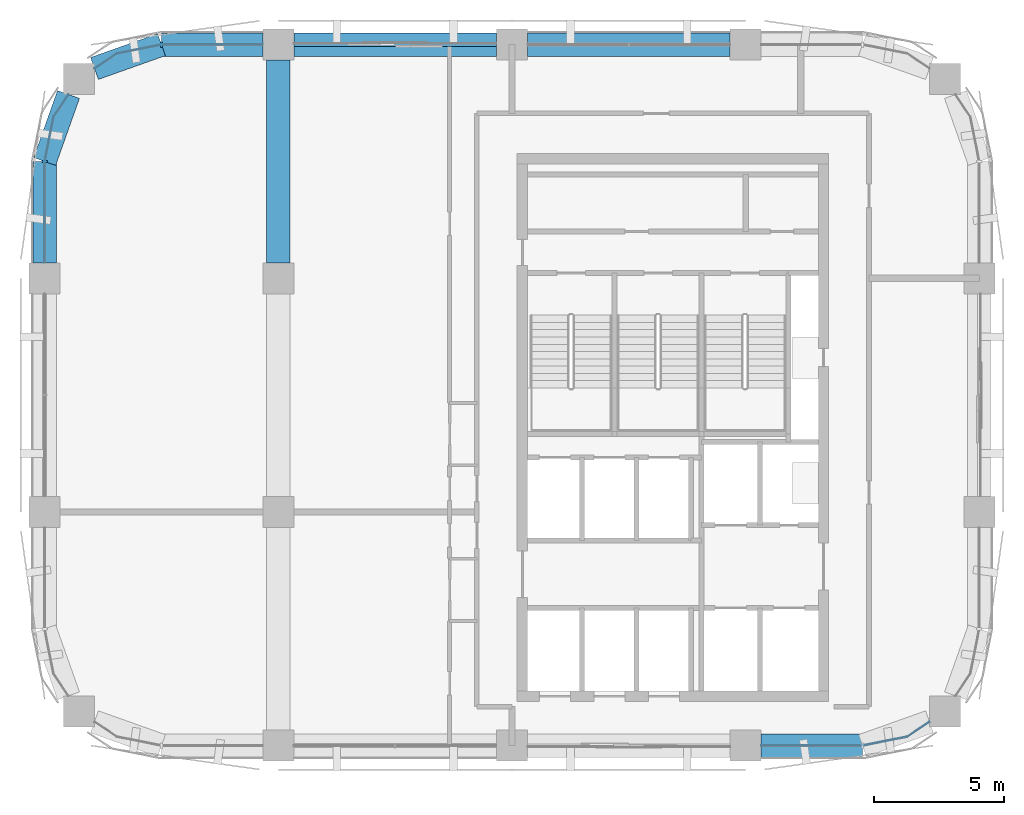
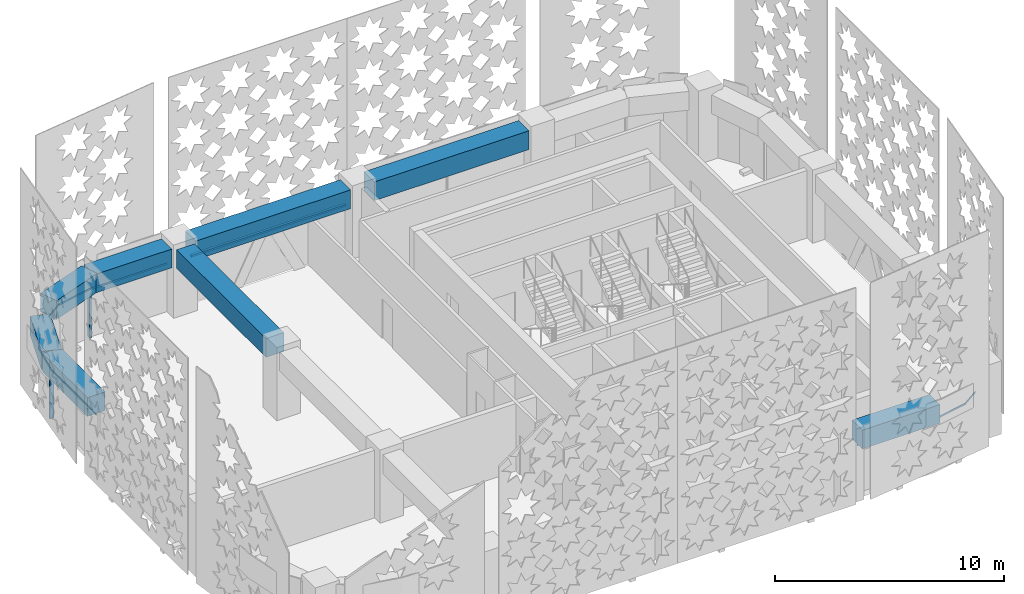
# One storey, part 3 of 14: 8 beams, 6 members, 4 elements without a shape of their own.
"""IFC4 building model written with IfcOpenShell, lengths in metres."""

from ifc_helpers import new_model, si_unit, direction, frame, origin, origin_2d, place, context, subcontext, project, spatial, polyline, rectangle, outline, extrude, material, material_profile, profile_set, type_object, element, aggregate, save


model = new_model("IFC4")

# Units and contexts
model_context = context("Model", 3, precision=1e-05, world=origin(), true_north=direction((0.0, 1.0)))
body_context = subcontext(model_context, "Body", "Model", "MODEL_VIEW")
ifc_project = project(units=[si_unit("LENGTHUNIT", "METRE"), si_unit("AREAUNIT", "SQUARE_METRE"), si_unit("VOLUMEUNIT", "CUBIC_METRE"), si_unit("PLANEANGLEUNIT", "RADIAN"), si_unit("MASSUNIT", "GRAM", prefix="KILO")], contexts=[model_context])

# Site, building, storey
site_placement = place(None, origin())
site = spatial("IfcSite", under=ifc_project, at=site_placement, CompositionType="ELEMENT")
building_placement = place(site_placement, origin())
building = spatial("IfcBuilding", under=site, at=building_placement, Name="Tessera Arch", CompositionType="ELEMENT")
storey_placement = place(building_placement, frame((0.0, 0.0, 269.60009765625)))
storey = spatial("IfcBuildingStorey", under=building, at=storey_placement, Name="L65", CompositionType="ELEMENT", Elevation=269.60009765625)

# Curtain wall, member
ifc_material_1 = material(Name="CW2 curtain wall")
curtain_wall_type_1 = type_object("IfcCurtainWallType", Name="CW2 curtain wall", PredefinedType="NOTDEFINED", material=ifc_material_1)
curtain_wall_1_placement = place(storey_placement, origin())
curtain_wall_1 = element("IfcCurtainWall", 1, at=curtain_wall_1_placement, inside=storey, type_object=curtain_wall_type_1, Name="CW2 curtain wall N54.18/3 L65", PredefinedType="NOTDEFINED")
ifc_material_2 = material(Name="Anodised aluminium pale metal", Category="aluminium")
ifc_material_profile_1 = material_profile(ifc_material_2, rectangle(XDim=0.199951171875, YDim=0.080078125, at=origin_2d()), Name="AL 80x200")
ifc_profile_set_1 = profile_set([ifc_material_profile_1], Name="Anodised aluminium pale metal")
member_type_1 = type_object("IfcMemberType", Name="CW2 mullion", PredefinedType="MULLION", material=ifc_profile_set_1)
member_1_placement = place(storey_placement, frame((22.5, 54.0, 0.0), z_axis=(0.0, 0.0, 1.0), x_axis=(0.0, -1.0, 0.0)))
member_1 = element("IfcMember", 2, at=member_1_placement, type_object=member_type_1, Name="CW2 mullion N54.18/3 1", PredefinedType="MULLION", context=body_context, shape_type="SweptSolid", body=[
    extrude(rectangle(XDim=0.199951171875, YDim=0.080078125, at=origin_2d()), origin(), (0.0, 0.0, 1.0), 2.5),
])

curtain_wall_2_placement = place(storey_placement, origin())
curtain_wall_2 = element("IfcCurtainWall", 3, at=curtain_wall_2_placement, inside=storey, type_object=curtain_wall_type_1, Name="CW2 curtain wall W18.27/0 L65", PredefinedType="NOTDEFINED")
member_2_placement = place(storey_placement, frame((18.0, 49.5, 0.0), z_axis=(0.0, 0.0, 1.0), x_axis=(1.0, 0.0, 0.0)))
member_2 = element("IfcMember", 4, at=member_2_placement, type_object=member_type_1, Name="CW2 mullion W18.27/0 1", PredefinedType="MULLION", context=body_context, shape_type="SweptSolid", body=[
    extrude(rectangle(XDim=0.199951171875, YDim=0.080078125, at=origin_2d()), origin(), (0.0, 0.0, 1.0), 2.5),
])

# Member
ifc_material_3 = material(Name="Anodised aluminium pale metal", Category="aluminium")
ifc_material_profile_2 = material_profile(ifc_material_3, rectangle(XDim=0.199951171875, YDim=0.10009765625, at=origin_2d()), Name="AL 200x100")
ifc_profile_set_2 = profile_set([ifc_material_profile_2], Name="Anodised aluminium pale metal")
member_type_2 = type_object("IfcMemberType", Name="CW2 transom", PredefinedType="USERDEFINED", material=ifc_profile_set_2)
member_3_placement = place(storey_placement, frame((0.0, 0.0, 2.5)))
member_3 = element("IfcMember", 5, at=member_3_placement, type_object=member_type_2, Name="CW2 transom N54.18/3 1", ObjectType="TRANSOM", PredefinedType="USERDEFINED", context=body_context, shape_type="SweptSolid", body=[
    extrude(outline(polyline([(22.5009765625, 53.989990234375), (26.39990234375, 53.989990234375), (26.39990234375, 54.010009765625), (22.4990234375, 54.010009765625), (20.77392578125, 53.6669921875), (19.912353515625, 53.09130859375), (19.923583984375, 53.07470703125), (20.78173828125, 53.648193359375), (22.5009765625, 53.989990234375)])), origin(), (0.0, 0.0, 1.0), 0.099853515625),
])

aggregate(curtain_wall_1, [member_1, member_3])

member_4_placement = place(storey_placement, frame((0.0, 0.0, 2.5)))
member_4 = element("IfcMember", 6, at=member_4_placement, type_object=member_type_2, Name="CW2 transom W18.27/0 1", ObjectType="TRANSOM", PredefinedType="USERDEFINED", context=body_context, shape_type="SweptSolid", body=[
    extrude(outline(polyline([(18.351806640625, 51.21826171875), (18.92529296875, 52.076416015625), (18.90869140625, 52.087646484375), (18.3330078125, 51.22607421875), (17.989990234375, 49.5009765625), (17.989990234375, 45.60009765625), (18.010009765625, 45.60009765625), (18.010009765625, 49.4990234375), (18.351806640625, 51.21826171875)])), origin(), (0.0, 0.0, 1.0), 0.099853515625),
])

aggregate(curtain_wall_2, [member_2, member_4])

# Curtain wall, member
curtain_wall_3_placement = place(storey_placement, origin())
curtain_wall_3 = element("IfcCurtainWall", 7, at=curtain_wall_3_placement, inside=storey, type_object=curtain_wall_type_1, Name="CW2 curtain wall S27.18/3 L65", PredefinedType="NOTDEFINED")
member_5_placement = place(storey_placement, frame((0.0, 0.0, 2.5)))
member_5 = element("IfcMember", 8, at=member_5_placement, type_object=member_type_2, Name="CW2 transom S27.18/3 1", ObjectType="TRANSOM", PredefinedType="USERDEFINED", context=body_context, shape_type="SweptSolid", body=[
    extrude(outline(polyline([(49.4990234375, 27.010009765625), (45.60009765625, 27.010009765625), (45.60009765625, 26.989990234375), (49.5009765625, 26.989990234375), (51.22607421875, 27.3330078125), (52.087646484375, 27.90869140625), (52.076416015625, 27.92529296875), (51.21826171875, 27.351806640625), (49.4990234375, 27.010009765625)])), origin(), (0.0, 0.0, 1.0), 0.099853515625),
])
aggregate(curtain_wall_3, [member_5])

ifc_material_4 = material(Name="CW3 curtain wall")
curtain_wall_type_2 = type_object("IfcCurtainWallType", Name="CW3 curtain wall", PredefinedType="NOTDEFINED", material=ifc_material_4)
curtain_wall_4_placement = place(storey_placement, origin())
curtain_wall_4 = element("IfcCurtainWall", 9, at=curtain_wall_4_placement, inside=storey, type_object=curtain_wall_type_2, Name="CW3 curtain wall N54.18/2 L65", PredefinedType="NOTDEFINED")
ifc_material_5 = material(Name="Anodised aluminium pale metal", Category="aluminium")
ifc_material_profile_3 = material_profile(ifc_material_5, rectangle(XDim=0.139892578125, YDim=0.10009765625, at=origin_2d()), Name="AL 140x100")
ifc_profile_set_3 = profile_set([ifc_material_profile_3], Name="Anodised aluminium pale metal")
member_type_3 = type_object("IfcMemberType", Name="CW3 transom", PredefinedType="USERDEFINED", material=ifc_profile_set_3)
member_6_placement = place(storey_placement, frame((35.39990234375, 54.0, 2.5498046875), z_axis=(-1.0, 0.0, 0.0), x_axis=(0.0, -1.0, 0.0)))
member_6 = element("IfcMember", 10, at=member_6_placement, type_object=member_type_3, Name="CW3 transom N54.18/2 1.1", ObjectType="TRANSOM", PredefinedType="USERDEFINED", context=body_context, shape_type="SweptSolid", body=[
    extrude(rectangle(XDim=0.139892578125, YDim=0.10009765625, at=origin_2d()), origin(), (0.0, 0.0, 1.0), 7.7998046875),
])
aggregate(curtain_wall_4, [member_6])

# Beams
ifc_material_6 = material(Name="Concrete C60/75", Category="concrete")
ifc_material_profile_4 = material_profile(ifc_material_6, rectangle(XDim=0.89990234375, YDim=1.0, at=origin_2d()), Name="RC spandrel beam 900 x 1000 Concrete C60/75")
ifc_profile_set_4 = profile_set([ifc_material_profile_4], Name="Concrete C60/75")
beam_type = type_object("IfcBeamType", Name="RC spandrel beam 900 x 1000 Concrete C60/75", PredefinedType="BEAM", material=ifc_profile_set_4)
for number, where, z_axis, x_axis, name in (
    (11, (44.39990234375, 54.0, 3.099853515625), (-1.0, 0.0, 0.0), (0.0, -1.0, 0.0), "Spandrel beam L65 N54.18/1"),
    (12, (35.39990234375, 54.0, 3.099853515625), (-1.0, 0.0, 0.0), (0.0, -1.0, 0.0), "Spandrel beam L65 N54.18/2"),
):
    element("IfcBeam", number, at=place(storey_placement, frame(where, z_axis=z_axis, x_axis=x_axis)), inside=storey, type_object=beam_type, Name=name, PredefinedType="BEAM", context=body_context, shape_type="SweptSolid", body=[
        extrude(rectangle(XDim=0.89990234375, YDim=1.0, at=origin_2d()), origin(), (0.0, 0.0, 1.0), 7.7998046875),
    ])
beam_1_placement = place(storey_placement, frame((26.39990234375, 54.0, 3.099853515625), z_axis=(-1.0, 0.0, 0.0), x_axis=(0.0, -1.0, 0.0)))
element("IfcBeam", 13, at=beam_1_placement, inside=storey, type_object=beam_type, Name="Spandrel beam L65 N54.18/3.1", PredefinedType="BEAM", context=body_context, shape_type="SweptSolid", body=[
    extrude(rectangle(XDim=0.89990234375, YDim=1.0, at=origin_2d()), origin(), (0.0, 0.0, 1.0), 3.89990234375),
])
for number, where, z_axis, x_axis, name in (
    (14, (22.5, 54.0, 3.099853515625), (-0.942337127159, -0.334665114373, 0.0), (0.334665114373, -0.942337127159, 0.0), "Spandrel beam L65 N54.18/3.2"),
    (15, (18.9169921875, 52.08203125, 3.099853515625), (-0.334665114373, -0.942337127159, 0.0), (0.942337127159, -0.334665114373, 0.0), "Spandrel beam L65 W18.27/0.1"),
):
    element("IfcBeam", number, at=place(storey_placement, frame(where, z_axis=z_axis, x_axis=x_axis)), inside=storey, type_object=beam_type, Name=name, PredefinedType="BEAM", context=body_context, shape_type="SweptSolid", body=[
        extrude(rectangle(XDim=0.89990234375, YDim=1.0, at=origin_2d()), origin(), (0.0, 0.0, 1.0), 2.739990234375),
    ])
for number, where, z_axis, x_axis, name in (
    (16, (18.0, 49.5, 3.099853515625), (0.0, -1.0, 0.0), (1.0, 0.0, 0.0), "Spandrel beam L65 W18.27/0.2"),
    (17, (45.60009765625, 27.0, 3.099853515625), (1.0, 0.0, 0.0), (0.0, 1.0, 0.0), "Spandrel beam L65 S27.18/3.1"),
):
    element("IfcBeam", number, at=place(storey_placement, frame(where, z_axis=z_axis, x_axis=x_axis)), inside=storey, type_object=beam_type, Name=name, PredefinedType="BEAM", context=body_context, shape_type="SweptSolid", body=[
        extrude(rectangle(XDim=0.89990234375, YDim=1.0, at=origin_2d()), origin(), (0.0, 0.0, 1.0), 3.89990234375),
    ])
beam_2_placement = place(storey_placement, frame((27.0, 45.60009765625, 3.099853515625), z_axis=(0.0, 1.0, 0.0), x_axis=(-1.0, 0.0, 0.0)))
element("IfcBeam", 18, at=beam_2_placement, inside=storey, type_object=beam_type, Name="Interface beam L65 I0C4F-C4G", PredefinedType="BEAM", context=body_context, shape_type="SweptSolid", body=[
    extrude(rectangle(XDim=0.89990234375, YDim=1.0, at=origin_2d()), origin(), (0.0, 0.0, 1.0), 7.7998046875),
])

save(model, "model.ifc")
